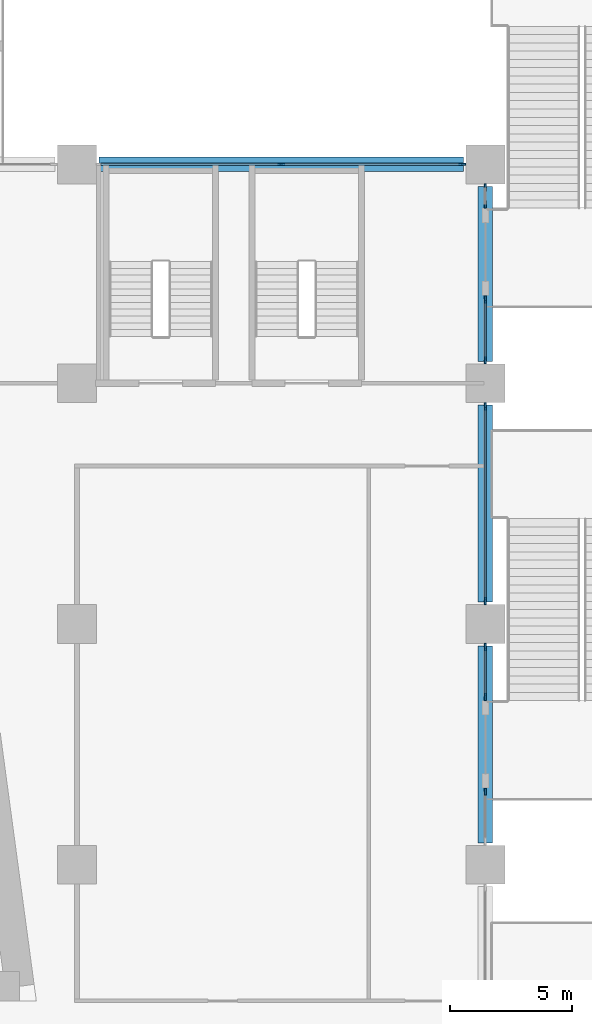
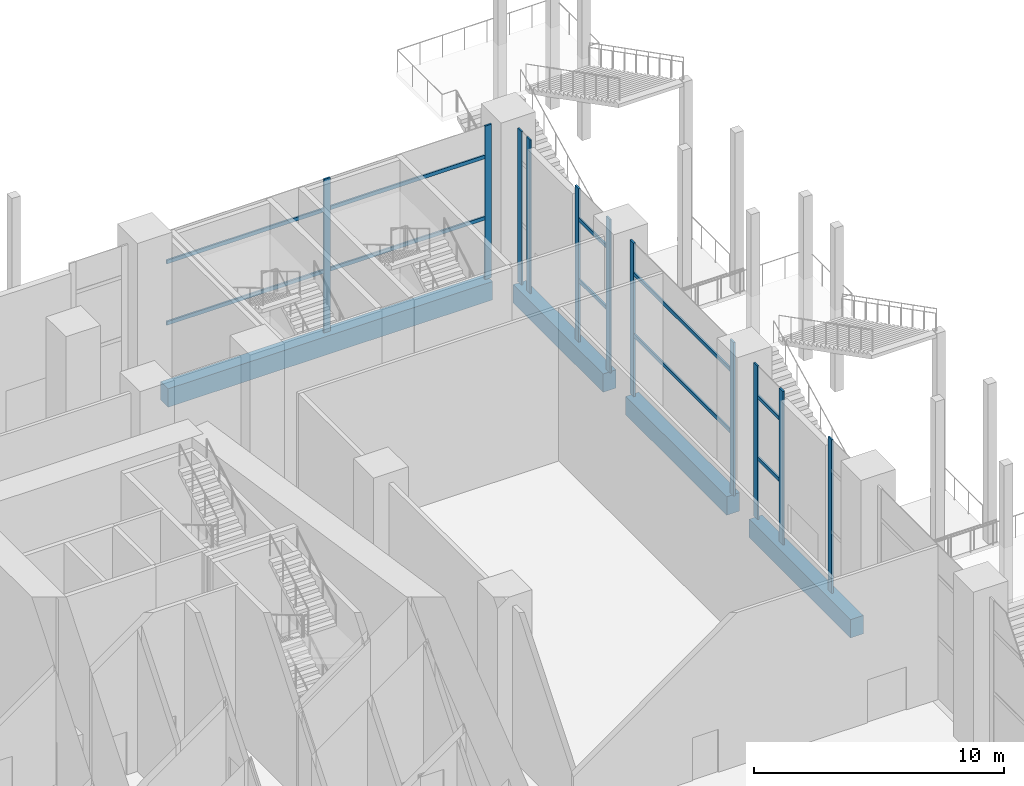
# One storey, part 12 of 52: 21 members, 4 beams, 6 elements without a shape of their own.
"""IFC4 building model written with IfcOpenShell, lengths in metres."""

import ifcopenshell
import ifcopenshell.guid

model = None  # the IFC model being written
_history = None  # IfcOwnerHistory: only IFC2X3 demands one
_inside = {}  # id of a spatial element -> (the spatial element, [elements in it])
_under = {}  # id of a project, library or spatial element -> (it, [spatial elements below it])
_declared = {}  # id of a project -> (the project, [libraries it declares])
_typed = {}  # id of a type object -> (the type object, [elements of that type])
_made_of = {}  # id of a material, layer set ... -> (it, [elements and type objects made of it])


def new_model(schema):
    """Start an empty IFC model of exactly this schema.

    Asked for "IFC4X3", IfcOpenShell would pick the latest addendum, in which some entities
    have other attributes; the version numbers below select the first issue.
    IFC2X3 requires an IfcOwnerHistory on every rooted entity: one is made here for all.
    """
    global model, _history
    if schema == "IFC4X3":
        model = ifcopenshell.file(schema_version=(4, 3, 0, 0))
    else:
        model = ifcopenshell.file(schema=schema)
    _inside.clear()
    _under.clear()
    _declared.clear()
    _typed.clear()
    _made_of.clear()
    _history = None
    if model.schema == "IFC2X3":
        org = make("IfcOrganization", Name="unknown")
        user = make(
            "IfcPersonAndOrganization",
            ThePerson=make("IfcPerson", FamilyName="unknown"),
            TheOrganization=org,
        )
        app = make(
            "IfcApplication",
            ApplicationDeveloper=org,
            Version="unknown",
            ApplicationFullName="unknown",
            ApplicationIdentifier="unknown",
        )
        _history = make(
            "IfcOwnerHistory",
            OwningUser=user,
            OwningApplication=app,
            ChangeAction="ADDED",
            CreationDate=0,
        )
    return model


def make(cls, **values):
    """One entity of the class cls with the attributes given. An attribute that is None is left unset."""
    return model.create_entity(
        cls, **{name: value for name, value in values.items() if value is not None}
    )


def rooted(cls, **values):
    """An entity with a GlobalId (a new one), such as an element, a storey or a relation."""
    return make(cls, GlobalId=ifcopenshell.guid.new(), OwnerHistory=_history, **values)


def si_unit(unit_type, name, prefix=None):
    """IfcSIUnit, for example si_unit("LENGTHUNIT", "METRE", prefix="MILLI")."""
    return make("IfcSIUnit", UnitType=unit_type, Prefix=prefix, Name=name)


def assignment(units):
    """IfcUnitAssignment: the units of a project."""
    return None if units is None else make("IfcUnitAssignment", Units=units)


def point(xyz):
    """IfcCartesianPoint."""
    return None if xyz is None else make("IfcCartesianPoint", Coordinates=xyz)


def direction(xyz):
    """IfcDirection."""
    return None if xyz is None else make("IfcDirection", DirectionRatios=xyz)


def frame(location, z_axis=None, x_axis=None):
    """IfcAxis2Placement3D, a coordinate frame: its origin and axes. An axis left out is left unset."""
    return make(
        "IfcAxis2Placement3D",
        Location=point(location),
        Axis=direction(z_axis),
        RefDirection=direction(x_axis),
    )


def frame_2d(location, x_axis=None):
    """IfcAxis2Placement2D, a coordinate frame in the plane: its origin and x axis."""
    return make(
        "IfcAxis2Placement2D", Location=point(location), RefDirection=direction(x_axis)
    )


def origin():
    """The frame at (0, 0, 0) with its axes left unset."""
    return frame((0.0, 0.0, 0.0))


def origin_2d():
    """The frame at (0, 0) in the plane with its x axis left unset."""
    return frame_2d((0.0, 0.0))


def place(relative_to, where):
    """IfcLocalPlacement: puts the frame where relative to a parent placement (None: the world)."""
    return make(
        "IfcLocalPlacement", PlacementRelTo=relative_to, RelativePlacement=where
    )


def context(
    kind, dimensions, precision=None, world=None, true_north=None, identifier=None
):
    """IfcGeometricRepresentationContext, for example the 3D "Model" context."""
    return make(
        "IfcGeometricRepresentationContext",
        ContextIdentifier=identifier,
        ContextType=kind,
        CoordinateSpaceDimension=dimensions,
        Precision=precision,
        WorldCoordinateSystem=world,
        TrueNorth=true_north,
    )


def subcontext(parent, identifier, kind, view, scale=None):
    """IfcGeometricRepresentationSubContext, for example "Body" below "Model"."""
    return make(
        "IfcGeometricRepresentationSubContext",
        ContextIdentifier=identifier,
        ContextType=kind,
        ParentContext=parent,
        TargetScale=scale,
        TargetView=view,
    )


def project(units=None, contexts=None):
    """IfcProject with its units and contexts."""
    return rooted(
        "IfcProject",
        Name="project",
        RepresentationContexts=contexts,
        UnitsInContext=assignment(units),
    )


def spatial(cls, under=None, at=None, **own):
    """A site, building, storey or space (cls), placed at a placement, below another one or the project."""
    s = rooted(cls, ObjectPlacement=at, **own)
    if under is not None:
        _under.setdefault(under.id(), (under, []))[1].append(s)
    return s


def profile(cls, at=None, kind="AREA", **sizes):
    """A parametric profile (cls). Its sizes go by their IFC names, for example OverallWidth=200.0."""
    return make(cls, ProfileType=kind, Position=at, **sizes)


def rectangle(**sizes):
    """IfcRectangleProfileDef."""
    return profile("IfcRectangleProfileDef", **sizes)


def extrude(swept, where, along, depth):
    """IfcExtrudedAreaSolid: the profile swept, set in the frame where, extruded along a direction by depth."""
    return make(
        "IfcExtrudedAreaSolid",
        SweptArea=swept,
        Position=where,
        ExtrudedDirection=direction(along),
        Depth=depth,
    )


def shape(context_of_items, identifier, shape_type, items):
    """IfcShapeRepresentation: the items that make up one representation, for example the "Body"."""
    return make(
        "IfcShapeRepresentation",
        ContextOfItems=context_of_items,
        RepresentationIdentifier=identifier,
        RepresentationType=shape_type,
        Items=items,
    )


def material(Name=None, Category=None):
    """IfcMaterial."""
    return make("IfcMaterial", Name=Name, Category=Category)


def material_profile(
    of_material, cross_section, Name=None, Category=None, Priority=None
):
    """IfcMaterialProfile: a cross section and its material."""
    return make(
        "IfcMaterialProfile",
        Name=Name,
        Material=of_material,
        Profile=cross_section,
        Priority=Priority,
        Category=Category,
    )


def profile_set(profiles, Name=None, composite=None):
    """IfcMaterialProfileSet."""
    return make(
        "IfcMaterialProfileSet",
        Name=Name,
        MaterialProfiles=profiles,
        CompositeProfile=composite,
    )


def made_of(thing, what):
    """Note that an element or type object is made of a material, layer set ...; save() writes the relation."""
    if what is not None:
        _made_of.setdefault(what.id(), (what, []))[1].append(thing)
    return thing


def type_object(cls, material=None, **own):
    """A type object (cls), such as IfcWallType, which elements share."""
    return made_of(rooted(cls, **own), material)


def element(
    cls,
    number,
    at=None,
    inside=None,
    cuts=None,
    type_object=None,
    material=None,
    context=None,
    identifier="Body",
    shape_type=None,
    held_by="IfcProductDefinitionShape",
    body=None,
    shapes=None,
    **own,
):
    """One element of the class cls, such as IfcWall. Its Tag is "e" and its number.

    at: its placement. inside: the storey or other place that contains it. cuts: it is an
    opening in that element (IfcRelVoidsElement). A single representation is given by context,
    identifier, shape_type and body (its items); several are given by shapes. held_by: the class
    of the entity that holds the representations. save() writes the other relations.
    """
    e = rooted(cls, Tag="e%d" % number, ObjectPlacement=at, **own)
    if body is not None:
        shapes = [shape(context, identifier, shape_type, body)]
    if shapes is not None:
        e.Representation = make(held_by, Representations=shapes)
    if inside is not None:
        _inside.setdefault(inside.id(), (inside, []))[1].append(e)
    if cuts is not None:
        rooted(
            "IfcRelVoidsElement", RelatingBuildingElement=cuts, RelatedOpeningElement=e
        )
    if type_object is not None:
        _typed.setdefault(type_object.id(), (type_object, []))[1].append(e)
    return made_of(e, material)


def aggregate(whole, parts):
    """IfcRelAggregates: a whole, such as a stair, and the parts it consists of."""
    return rooted("IfcRelAggregates", RelatingObject=whole, RelatedObjects=parts)


def save(model, path):
    """Write the relations noted so far, then the file.

    IfcRelAggregates (storeys below a building ...), IfcRelContainedInSpatialStructure (elements
    in a storey), IfcRelDefinesByType, IfcRelAssociatesMaterial and IfcRelDeclares: one each for
    every whole, place, type object, material and project.
    """
    for whole, parts in _under.values():
        aggregate(whole, parts)
    for where, things in _inside.values():
        rooted(
            "IfcRelContainedInSpatialStructure",
            RelatedElements=things,
            RelatingStructure=where,
        )
    for kind, things in _typed.values():
        rooted("IfcRelDefinesByType", RelatedObjects=things, RelatingType=kind)
    for what, things in _made_of.values():
        rooted("IfcRelAssociatesMaterial", RelatedObjects=things, RelatingMaterial=what)
    for by, libraries in _declared.values():
        rooted("IfcRelDeclares", RelatingContext=by, RelatedDefinitions=libraries)
    model.write(path)


model = new_model("IFC4")

# Units and contexts
model_context = context("Model", 3, precision=1e-05, world=origin(), true_north=direction((0.0, 1.0)))
body_context = subcontext(model_context, "Body", "Model", "MODEL_VIEW")
ifc_project = project(units=[si_unit("LENGTHUNIT", "METRE"), si_unit("AREAUNIT", "SQUARE_METRE"), si_unit("VOLUMEUNIT", "CUBIC_METRE"), si_unit("PLANEANGLEUNIT", "RADIAN"), si_unit("MASSUNIT", "GRAM", prefix="KILO")], contexts=[model_context])

# Site, building, storey
site_placement = place(None, origin())
site = spatial("IfcSite", under=ifc_project, at=site_placement, CompositionType="ELEMENT")
building_placement = place(site_placement, origin())
building = spatial("IfcBuilding", under=site, at=building_placement, Name="Candeia Pilgrim Tower and Theatre", CompositionType="ELEMENT")
storey_placement = place(building_placement, frame((0.0, 0.0, 9.0)))
storey = spatial("IfcBuildingStorey", under=building, at=storey_placement, Name="L01", CompositionType="ELEMENT", Elevation=9.0)

# Curtain wall, members
ifc_material_1 = material(Name="Aluminium framed podium glazing", Category="aluminium")
curtain_wall_type = type_object("IfcCurtainWallType", Name="CW-P curtain wall", PredefinedType="NOTDEFINED", material=ifc_material_1)
curtain_wall_1_placement = place(storey_placement, origin())
curtain_wall_1 = element("IfcCurtainWall", 1, at=curtain_wall_1_placement, inside=storey, type_object=curtain_wall_type, Name="Curtain wall CW-P L01.170", PredefinedType="NOTDEFINED")
ifc_material_2 = material(Name="Anodised aluminium", Category="aluminium")
ifc_material_profile_1 = material_profile(ifc_material_2, rectangle(XDim=0.080078125, YDim=0.300048828125, at=origin_2d()))
ifc_profile_set_1 = profile_set([ifc_material_profile_1], Name="Anodised aluminium")
member_type_1 = type_object("IfcMemberType", Name="CW-P mullion 80x300", PredefinedType="MULLION", material=ifc_profile_set_1)
member_1_placement = place(storey_placement, frame((151.199951171875, 144.800048828125, 0.0), z_axis=(0.0, 0.0, 1.0), x_axis=(0.0, 1.0, 0.0)))
member_1 = element("IfcMember", 2, at=member_1_placement, type_object=member_type_1, Name="CW-P mullion 2", PredefinedType="MULLION", context=body_context, shape_type="SweptSolid", body=[
    extrude(rectangle(XDim=0.080078125, YDim=0.300048828125, at=origin_2d()), origin(), (0.0, 0.0, 1.0), 7.5),
])
member_2_placement = place(storey_placement, frame((158.64990234375, 144.800048828125, 0.0), z_axis=(0.0, 0.0, 1.0), x_axis=(0.0, 1.0, 0.0)))
member_2 = element("IfcMember", 3, at=member_2_placement, type_object=member_type_1, Name="CW-P mullion 3", PredefinedType="MULLION", context=body_context, shape_type="SweptSolid", body=[
    extrude(rectangle(XDim=0.080078125, YDim=0.300048828125, at=origin_2d()), origin(), (0.0, 0.0, 1.0), 7.5),
])

curtain_wall_2_placement = place(storey_placement, origin())
curtain_wall_2 = element("IfcCurtainWall", 4, at=curtain_wall_2_placement, inside=storey, type_object=curtain_wall_type, Name="Curtain wall CW-P L01.200", PredefinedType="NOTDEFINED")
member_3_placement = place(storey_placement, frame((159.60009765625, 143.85009765625, 0.0), z_axis=(0.0, 0.0, 1.0), x_axis=(1.0, 0.0, 0.0)))
member_3 = element("IfcMember", 5, at=member_3_placement, type_object=member_type_1, Name="CW-P mullion 1", PredefinedType="MULLION", context=body_context, shape_type="SweptSolid", body=[
    extrude(rectangle(XDim=0.080078125, YDim=0.300048828125, at=origin_2d()), origin(), (0.0, 0.0, 1.0), 7.5),
])
member_4_placement = place(storey_placement, frame((159.60009765625, 143.14990234375, 0.0), z_axis=(0.0, 0.0, 1.0), x_axis=(1.0, 0.0, 0.0)))
member_4 = element("IfcMember", 6, at=member_4_placement, type_object=member_type_1, Name="CW-P mullion 2", PredefinedType="MULLION", context=body_context, shape_type="SweptSolid", body=[
    extrude(rectangle(XDim=0.080078125, YDim=0.300048828125, at=origin_2d()), origin(), (0.0, 0.0, 1.0), 7.5),
])
aggregate(curtain_wall_2, [member_3, member_4])

curtain_wall_3_placement = place(storey_placement, origin())
curtain_wall_3 = element("IfcCurtainWall", 7, at=curtain_wall_3_placement, inside=storey, type_object=curtain_wall_type, Name="Curtain wall CW-P L01.201", PredefinedType="NOTDEFINED")
member_5_placement = place(storey_placement, frame((159.60009765625, 139.25, 0.0), z_axis=(0.0, 0.0, 1.0), x_axis=(1.0, 0.0, 0.0)))
member_5 = element("IfcMember", 8, at=member_5_placement, type_object=member_type_1, Name="CW-P mullion 1", PredefinedType="MULLION", context=body_context, shape_type="SweptSolid", body=[
    extrude(rectangle(XDim=0.080078125, YDim=0.300048828125, at=origin_2d()), origin(), (0.0, 0.0, 1.0), 7.5),
])
member_6_placement = place(storey_placement, frame((159.60009765625, 136.75, 0.0), z_axis=(0.0, 0.0, 1.0), x_axis=(1.0, 0.0, 0.0)))
member_6 = element("IfcMember", 9, at=member_6_placement, type_object=member_type_1, Name="CW-P mullion 2", PredefinedType="MULLION", context=body_context, shape_type="SweptSolid", body=[
    extrude(rectangle(XDim=0.080078125, YDim=0.300048828125, at=origin_2d()), origin(), (0.0, 0.0, 1.0), 7.5),
])

curtain_wall_4_placement = place(storey_placement, origin())
curtain_wall_4 = element("IfcCurtainWall", 10, at=curtain_wall_4_placement, inside=storey, type_object=curtain_wall_type, Name="Curtain wall CW-P L01.210", PredefinedType="NOTDEFINED")
member_7_placement = place(storey_placement, frame((159.60009765625, 134.85009765625, 0.0), z_axis=(0.0, 0.0, 1.0), x_axis=(1.0, 0.0, 0.0)))
member_7 = element("IfcMember", 11, at=member_7_placement, type_object=member_type_1, Name="CW-P mullion 1", PredefinedType="MULLION", context=body_context, shape_type="SweptSolid", body=[
    extrude(rectangle(XDim=0.080078125, YDim=0.300048828125, at=origin_2d()), origin(), (0.0, 0.0, 1.0), 7.5),
])
member_8_placement = place(storey_placement, frame((159.60009765625, 126.85009765625, 0.0), z_axis=(0.0, 0.0, 1.0), x_axis=(1.0, 0.0, 0.0)))
member_8 = element("IfcMember", 12, at=member_8_placement, type_object=member_type_1, Name="CW-P mullion 2", PredefinedType="MULLION", context=body_context, shape_type="SweptSolid", body=[
    extrude(rectangle(XDim=0.080078125, YDim=0.300048828125, at=origin_2d()), origin(), (0.0, 0.0, 1.0), 7.5),
])

curtain_wall_5_placement = place(storey_placement, origin())
curtain_wall_5 = element("IfcCurtainWall", 13, at=curtain_wall_5_placement, inside=storey, type_object=curtain_wall_type, Name="Curtain wall CW-P L01.220", PredefinedType="NOTDEFINED")
member_9_placement = place(storey_placement, frame((159.60009765625, 124.949951171875, 0.0), z_axis=(0.0, 0.0, 1.0), x_axis=(1.0, 0.0, 0.0)))
member_9 = element("IfcMember", 14, at=member_9_placement, type_object=member_type_1, Name="CW-P mullion 1", PredefinedType="MULLION", context=body_context, shape_type="SweptSolid", body=[
    extrude(rectangle(XDim=0.080078125, YDim=0.300048828125, at=origin_2d()), origin(), (0.0, 0.0, 1.0), 7.5),
])
member_10_placement = place(storey_placement, frame((159.60009765625, 122.89990234375, 0.0), z_axis=(0.0, 0.0, 1.0), x_axis=(1.0, 0.0, 0.0)))
member_10 = element("IfcMember", 15, at=member_10_placement, type_object=member_type_1, Name="CW-P mullion 2", PredefinedType="MULLION", context=body_context, shape_type="SweptSolid", body=[
    extrude(rectangle(XDim=0.080078125, YDim=0.300048828125, at=origin_2d()), origin(), (0.0, 0.0, 1.0), 7.5),
])

# Curtain wall, member
curtain_wall_6_placement = place(storey_placement, origin())
curtain_wall_6 = element("IfcCurtainWall", 16, at=curtain_wall_6_placement, inside=storey, type_object=curtain_wall_type, Name="Curtain wall CW-P L01.221", PredefinedType="NOTDEFINED")
member_11_placement = place(storey_placement, frame((159.60009765625, 119.0, 0.0), z_axis=(0.0, 0.0, 1.0), x_axis=(1.0, 0.0, 0.0)))
member_11 = element("IfcMember", 17, at=member_11_placement, type_object=member_type_1, Name="CW-P mullion 1", PredefinedType="MULLION", context=body_context, shape_type="SweptSolid", body=[
    extrude(rectangle(XDim=0.080078125, YDim=0.300048828125, at=origin_2d()), origin(), (0.0, 0.0, 1.0), 7.5),
])
aggregate(curtain_wall_6, [member_11])

# Member
ifc_material_profile_2 = material_profile(ifc_material_2, rectangle(XDim=0.080078125, YDim=0.179931640625, at=origin_2d()))
ifc_profile_set_2 = profile_set([ifc_material_profile_2], Name="Anodised aluminium")
member_type_2 = type_object("IfcMemberType", Name="CW-P transom 80x180", PredefinedType="USERDEFINED", material=ifc_profile_set_2)
member_12_placement = place(storey_placement, frame((143.7900390625, 144.800048828125, 3.0), z_axis=(1.0, 0.0, 0.0), x_axis=(0.0, 1.0, 0.0)))
member_12 = element("IfcMember", 18, at=member_12_placement, type_object=member_type_2, Name="CW-P transom 1.1", ObjectType="TRANSOM", PredefinedType="USERDEFINED", context=body_context, shape_type="SweptSolid", body=[
    extrude(rectangle(XDim=0.080078125, YDim=0.179931640625, at=origin_2d()), origin(), (0.0, 0.0, 1.0), 7.369873046875),
])

member_13_placement = place(storey_placement, frame((143.7900390625, 144.800048828125, 6.0), z_axis=(1.0, 0.0, 0.0), x_axis=(0.0, 1.0, 0.0)))
member_13 = element("IfcMember", 19, at=member_13_placement, type_object=member_type_2, Name="CW-P transom 1.2", ObjectType="TRANSOM", PredefinedType="USERDEFINED", context=body_context, shape_type="SweptSolid", body=[
    extrude(rectangle(XDim=0.080078125, YDim=0.179931640625, at=origin_2d()), origin(), (0.0, 0.0, 1.0), 7.369873046875),
])

member_14_placement = place(storey_placement, frame((151.239990234375, 144.800048828125, 3.0), z_axis=(1.0, 0.0, 0.0), x_axis=(0.0, 1.0, 0.0)))
member_14 = element("IfcMember", 20, at=member_14_placement, type_object=member_type_2, Name="CW-P transom 2.1", ObjectType="TRANSOM", PredefinedType="USERDEFINED", context=body_context, shape_type="SweptSolid", body=[
    extrude(rectangle(XDim=0.080078125, YDim=0.179931640625, at=origin_2d()), origin(), (0.0, 0.0, 1.0), 7.3701171875),
])

member_15_placement = place(storey_placement, frame((151.239990234375, 144.800048828125, 6.0), z_axis=(1.0, 0.0, 0.0), x_axis=(0.0, 1.0, 0.0)))
member_15 = element("IfcMember", 21, at=member_15_placement, type_object=member_type_2, Name="CW-P transom 2.2", ObjectType="TRANSOM", PredefinedType="USERDEFINED", context=body_context, shape_type="SweptSolid", body=[
    extrude(rectangle(XDim=0.080078125, YDim=0.179931640625, at=origin_2d()), origin(), (0.0, 0.0, 1.0), 7.3701171875),
])

aggregate(curtain_wall_1, [member_1, member_2, member_12, member_13, member_14, member_15])

member_16_placement = place(storey_placement, frame((159.60009765625, 139.2099609375, 3.0), z_axis=(0.0, -1.0, 0.0), x_axis=(1.0, 0.0, 0.0)))
member_16 = element("IfcMember", 22, at=member_16_placement, type_object=member_type_2, Name="CW-P transom 1.1", ObjectType="TRANSOM", PredefinedType="USERDEFINED", context=body_context, shape_type="SweptSolid", body=[
    extrude(rectangle(XDim=0.080078125, YDim=0.179931640625, at=origin_2d()), origin(), (0.0, 0.0, 1.0), 2.419921875),
])

member_17_placement = place(storey_placement, frame((159.60009765625, 139.2099609375, 6.0), z_axis=(0.0, -1.0, 0.0), x_axis=(1.0, 0.0, 0.0)))
member_17 = element("IfcMember", 23, at=member_17_placement, type_object=member_type_2, Name="CW-P transom 1.2", ObjectType="TRANSOM", PredefinedType="USERDEFINED", context=body_context, shape_type="SweptSolid", body=[
    extrude(rectangle(XDim=0.080078125, YDim=0.179931640625, at=origin_2d()), origin(), (0.0, 0.0, 1.0), 2.419921875),
])

aggregate(curtain_wall_3, [member_5, member_6, member_16, member_17])

member_18_placement = place(storey_placement, frame((159.60009765625, 134.81005859375, 3.0), z_axis=(0.0, -1.0, 0.0), x_axis=(1.0, 0.0, 0.0)))
member_18 = element("IfcMember", 24, at=member_18_placement, type_object=member_type_2, Name="CW-P transom 1.1", ObjectType="TRANSOM", PredefinedType="USERDEFINED", context=body_context, shape_type="SweptSolid", body=[
    extrude(rectangle(XDim=0.080078125, YDim=0.179931640625, at=origin_2d()), origin(), (0.0, 0.0, 1.0), 7.920166015625),
])

member_19_placement = place(storey_placement, frame((159.60009765625, 134.81005859375, 6.0), z_axis=(0.0, -1.0, 0.0), x_axis=(1.0, 0.0, 0.0)))
member_19 = element("IfcMember", 25, at=member_19_placement, type_object=member_type_2, Name="CW-P transom 1.2", ObjectType="TRANSOM", PredefinedType="USERDEFINED", context=body_context, shape_type="SweptSolid", body=[
    extrude(rectangle(XDim=0.080078125, YDim=0.179931640625, at=origin_2d()), origin(), (0.0, 0.0, 1.0), 7.920166015625),
])

aggregate(curtain_wall_4, [member_7, member_8, member_18, member_19])

member_20_placement = place(storey_placement, frame((159.60009765625, 124.909912109375, 3.0), z_axis=(0.0, -1.0, 0.0), x_axis=(1.0, 0.0, 0.0)))
member_20 = element("IfcMember", 26, at=member_20_placement, type_object=member_type_2, Name="CW-P transom 1.1", ObjectType="TRANSOM", PredefinedType="USERDEFINED", context=body_context, shape_type="SweptSolid", body=[
    extrude(rectangle(XDim=0.080078125, YDim=0.179931640625, at=origin_2d()), origin(), (0.0, 0.0, 1.0), 1.969970703125),
])

member_21_placement = place(storey_placement, frame((159.60009765625, 124.909912109375, 6.0), z_axis=(0.0, -1.0, 0.0), x_axis=(1.0, 0.0, 0.0)))
member_21 = element("IfcMember", 27, at=member_21_placement, type_object=member_type_2, Name="CW-P transom 1.2", ObjectType="TRANSOM", PredefinedType="USERDEFINED", context=body_context, shape_type="SweptSolid", body=[
    extrude(rectangle(XDim=0.080078125, YDim=0.179931640625, at=origin_2d()), origin(), (0.0, 0.0, 1.0), 1.969970703125),
])

aggregate(curtain_wall_5, [member_9, member_10, member_20, member_21])

# Beams
ifc_material_3 = material(Name="Concrete C80/95", Category="concrete")
ifc_material_profile_3 = material_profile(ifc_material_3, rectangle(XDim=0.60009765625, YDim=0.89990234375, at=origin_2d()))
ifc_profile_set_3 = profile_set([ifc_material_profile_3], Name="Concrete C80/95")
beam_type = type_object("IfcBeamType", Name="RC 600x900 C80/95", PredefinedType="BEAM", material=ifc_profile_set_3)
beam_1_placement = place(storey_placement, frame((159.60009765625, 116.89990234375, -0.449951171875), z_axis=(0.0, 1.0, 0.0), x_axis=(-1.0, 0.0, 0.0)))
element("IfcBeam", 28, at=beam_1_placement, inside=storey, type_object=beam_type, Name="Spandrel beam L01-05", PredefinedType="BEAM", context=body_context, shape_type="SweptSolid", body=[
    extrude(rectangle(XDim=0.60009765625, YDim=0.89990234375, at=origin_2d()), origin(), (0.0, 0.0, 1.0), 8.10009765625),
])
beam_2_placement = place(storey_placement, frame((159.60009765625, 126.800048828125, -0.449951171875), z_axis=(0.0, 1.0, 0.0), x_axis=(-1.0, 0.0, 0.0)))
element("IfcBeam", 29, at=beam_2_placement, inside=storey, type_object=beam_type, Name="Spandrel beam L01-06", PredefinedType="BEAM", context=body_context, shape_type="SweptSolid", body=[
    extrude(rectangle(XDim=0.60009765625, YDim=0.89990234375, at=origin_2d()), origin(), (0.0, 0.0, 1.0), 8.099853515625),
])
beam_3_placement = place(storey_placement, frame((159.60009765625, 136.699951171875, -0.449951171875), z_axis=(0.0, 1.0, 0.0), x_axis=(-1.0, 0.0, 0.0)))
element("IfcBeam", 30, at=beam_3_placement, inside=storey, type_object=beam_type, Name="Spandrel beam L01-07", PredefinedType="BEAM", context=body_context, shape_type="SweptSolid", body=[
    extrude(rectangle(XDim=0.60009765625, YDim=0.89990234375, at=origin_2d()), origin(), (0.0, 0.0, 1.0), 7.199951171875),
])
beam_4_placement = place(storey_placement, frame((158.699951171875, 144.800048828125, -0.449951171875), z_axis=(-1.0, 0.0, 0.0), x_axis=(0.0, -1.0, 0.0)))
element("IfcBeam", 31, at=beam_4_placement, inside=storey, type_object=beam_type, Name="Spandrel beam L01-08", PredefinedType="BEAM", context=body_context, shape_type="SweptSolid", body=[
    extrude(rectangle(XDim=0.60009765625, YDim=0.89990234375, at=origin_2d()), origin(), (0.0, 0.0, 1.0), 15.0),
])

save(model, "model.ifc")
